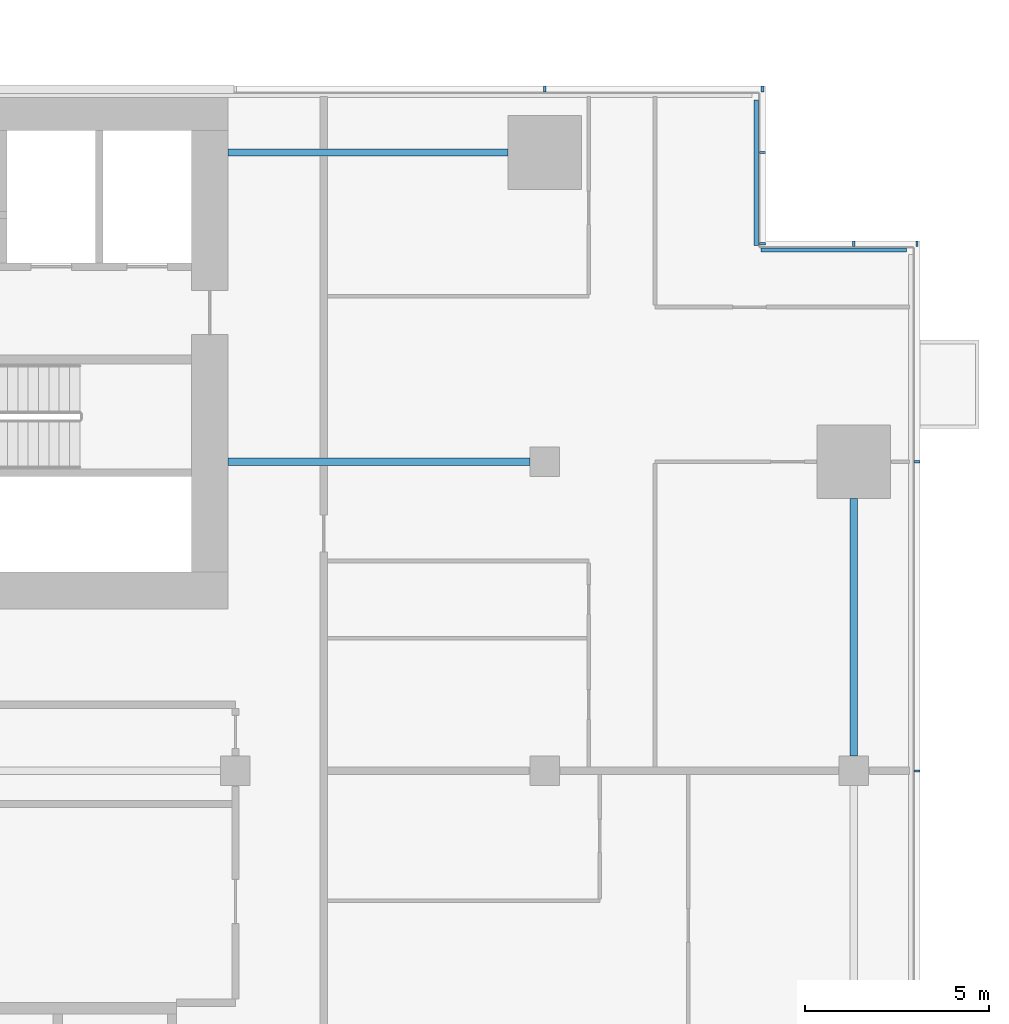
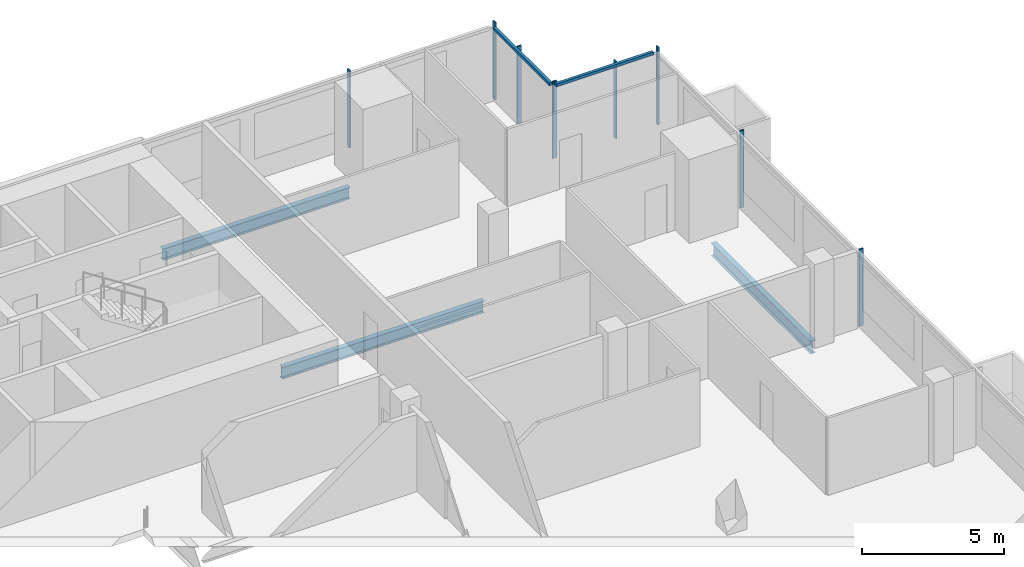
# One storey, part 13 of 27: 10 members, 3 beams, 4 elements without a shape of their own.
"""IFC4 building model written with IfcOpenShell, lengths in metres."""

from ifc_helpers import new_model, si_unit, direction, frame, origin, origin_2d, place, context, subcontext, project, spatial, rectangle, i_section, extrude, material, material_profile, profile_set, type_object, element, aggregate, save


model = new_model("IFC4")

# Units and contexts
model_context = context("Model", 3, precision=1e-05, world=origin(), true_north=direction((0.0, 1.0)))
body_context = subcontext(model_context, "Body", "Model", "MODEL_VIEW")
ifc_project = project(units=[si_unit("LENGTHUNIT", "METRE"), si_unit("AREAUNIT", "SQUARE_METRE"), si_unit("VOLUMEUNIT", "CUBIC_METRE"), si_unit("PLANEANGLEUNIT", "RADIAN"), si_unit("MASSUNIT", "GRAM", prefix="KILO")], contexts=[model_context])

# Site, building, storey
site_placement = place(None, origin())
site = spatial("IfcSite", under=ifc_project, at=site_placement, CompositionType="ELEMENT")
building_placement = place(site_placement, origin())
building = spatial("IfcBuilding", under=site, at=building_placement, Name="Saffron Gate Tower", CompositionType="ELEMENT")
storey_placement = place(building_placement, frame((0.0, 0.0, 124.050048828125)))
storey = spatial("IfcBuildingStorey", under=building, at=storey_placement, Name="L29", CompositionType="ELEMENT", Elevation=124.050048828125)

# Beams
ifc_material_1 = material(Name="Structural steel S355", Category="steel")
ifc_material_profile_1 = material_profile(ifc_material_1, i_section(OverallWidth=0.199951171875, OverallDepth=0.5, WebThickness=0.01025390625, FlangeThickness=0.01611328125, FilletRadius=0.02099609375, at=origin_2d()))
ifc_profile_set_1 = profile_set([ifc_material_profile_1], Name="Structural steel S355")
beam_type_1 = type_object("IfcBeamType", Name="B10 IPE 500", PredefinedType="BEAM", material=ifc_profile_set_1)
beam_1_placement = place(storey_placement, frame((116.60009765625, 65.39990234375, -0.530029296875), z_axis=(-1.0, 0.0, 0.0), x_axis=(0.0, -1.0, 0.0)))
element("IfcBeam", 1, at=beam_1_placement, inside=storey, type_object=beam_type_1, Name="B10 CORE TIE BEAM", PredefinedType="BEAM", context=body_context, shape_type="SweptSolid", body=[
    extrude(i_section(OverallWidth=0.199951171875, OverallDepth=0.5, WebThickness=0.01025390625, FlangeThickness=0.01611328125, FilletRadius=0.02099609375, at=origin_2d()), origin(), (0.0, 0.0, 1.0), 8.2001953125),
])
beam_2_placement = place(storey_placement, frame((116.0, 73.800048828125, -0.530029296875), z_axis=(-1.0, 0.0, 0.0), x_axis=(0.0, -1.0, 0.0)))
element("IfcBeam", 2, at=beam_2_placement, inside=storey, type_object=beam_type_1, Name="B10 CORE TIE BEAM", PredefinedType="BEAM", context=body_context, shape_type="SweptSolid", body=[
    extrude(i_section(OverallWidth=0.199951171875, OverallDepth=0.5, WebThickness=0.01025390625, FlangeThickness=0.01611328125, FilletRadius=0.02099609375, at=origin_2d()), origin(), (0.0, 0.0, 1.0), 7.60009765625),
])
ifc_material_profile_2 = material_profile(ifc_material_1, i_section(OverallWidth=0.2099609375, OverallDepth=0.550048828125, WebThickness=0.010986328125, FlangeThickness=0.01708984375, FilletRadius=0.02392578125, at=origin_2d()))
ifc_profile_set_2 = profile_set([ifc_material_profile_2], Name="Structural steel S355")
beam_type_2 = type_object("IfcBeamType", Name="B13 IPE 550", PredefinedType="SPANDREL", material=ifc_profile_set_2)
beam_3_placement = place(storey_placement, frame((125.39990234375, 57.39990234375, -0.554931640625), z_axis=(0.0, 1.0, 0.0), x_axis=(-1.0, 0.0, 0.0)))
element("IfcBeam", 3, at=beam_3_placement, inside=storey, type_object=beam_type_2, Name="B13 SPANDREL BEAM", PredefinedType="SPANDREL", context=body_context, shape_type="SweptSolid", body=[
    extrude(i_section(OverallWidth=0.2099609375, OverallDepth=0.550048828125, WebThickness=0.010986328125, FlangeThickness=0.01708984375, FilletRadius=0.02392578125, at=origin_2d()), origin(), (0.0, 0.0, 1.0), 7.0),
])

# Curtain wall, members
ifc_material_2 = material(Name="Aluminium, bronze anodised", Category="aluminium")
curtain_wall_type_1 = type_object("IfcCurtainWallType", Name="CWS2 curtain wall side facades", PredefinedType="NOTDEFINED", material=ifc_material_2)
curtain_wall_1_placement = place(storey_placement, origin())
curtain_wall_1 = element("IfcCurtainWall", 4, at=curtain_wall_1_placement, inside=storey, type_object=curtain_wall_type_1, Name="CWS2 run 4", PredefinedType="NOTDEFINED")
ifc_material_profile_3 = material_profile(ifc_material_2, rectangle(XDim=0.159912109375, YDim=0.06005859375, at=origin_2d()))
ifc_profile_set_3 = profile_set([ifc_material_profile_3], Name="Aluminium, bronze anodised")
member_type_1 = type_object("IfcMemberType", Name="CWS2 mullion 60x160", PredefinedType="MULLION", material=ifc_profile_set_3)
member_1_placement = place(storey_placement, frame((127.1201171875, 57.0, 0.0), z_axis=(0.0, 0.0, 1.0), x_axis=(-1.0, 0.0, 0.0)))
member_1 = element("IfcMember", 5, at=member_1_placement, type_object=member_type_1, Name="CWS2 mullion 4", PredefinedType="MULLION", context=body_context, shape_type="SweptSolid", body=[
    extrude(rectangle(XDim=0.159912109375, YDim=0.06005859375, at=origin_2d()), origin(), (0.0, 0.0, 1.0), 3.320068359375),
])
member_2_placement = place(storey_placement, frame((127.1201171875, 65.39990234375, 0.0), z_axis=(0.0, 0.0, 1.0), x_axis=(-1.0, 0.0, 0.0)))
member_2 = element("IfcMember", 6, at=member_2_placement, type_object=member_type_1, Name="CWS2 mullion 5", PredefinedType="MULLION", context=body_context, shape_type="SweptSolid", body=[
    extrude(rectangle(XDim=0.159912109375, YDim=0.06005859375, at=origin_2d()), origin(), (0.0, 0.0, 1.0), 3.320068359375),
])
aggregate(curtain_wall_1, [member_1, member_2])

curtain_wall_type_2 = type_object("IfcCurtainWallType", Name="CWS3 curtain wall rear facade", PredefinedType="NOTDEFINED", material=ifc_material_2)
curtain_wall_2_placement = place(storey_placement, origin())
curtain_wall_2 = element("IfcCurtainWall", 7, at=curtain_wall_2_placement, inside=storey, type_object=curtain_wall_type_2, Name="CWS3 run 7", PredefinedType="NOTDEFINED")
ifc_material_profile_4 = material_profile(ifc_material_2, rectangle(XDim=0.159912109375, YDim=0.070068359375, at=origin_2d()))
ifc_profile_set_4 = profile_set([ifc_material_profile_4], Name="Aluminium, bronze anodised")
member_type_2 = type_object("IfcMemberType", Name="CWS3 mullion 70x160", PredefinedType="MULLION", material=ifc_profile_set_4)
member_3_placement = place(storey_placement, frame((122.919921875, 75.52001953125, 0.0), z_axis=(0.0, 0.0, 1.0), x_axis=(0.0, -1.0, 0.0)))
member_3 = element("IfcMember", 8, at=member_3_placement, type_object=member_type_2, Name="CWS3 mullion 1", PredefinedType="MULLION", context=body_context, shape_type="SweptSolid", body=[
    extrude(rectangle(XDim=0.159912109375, YDim=0.070068359375, at=origin_2d()), origin(), (0.0, 0.0, 1.0), 3.320068359375),
])
member_4_placement = place(storey_placement, frame((117.0, 75.52001953125, 0.0), z_axis=(0.0, 0.0, 1.0), x_axis=(0.0, -1.0, 0.0)))
member_4 = element("IfcMember", 9, at=member_4_placement, type_object=member_type_2, Name="CWS3 mullion 2", PredefinedType="MULLION", context=body_context, shape_type="SweptSolid", body=[
    extrude(rectangle(XDim=0.159912109375, YDim=0.070068359375, at=origin_2d()), origin(), (0.0, 0.0, 1.0), 3.320068359375),
])
aggregate(curtain_wall_2, [member_3, member_4])

# Curtain wall, member
curtain_wall_type_3 = type_object("IfcCurtainWallType", Name="CWS4 curtain wall corner returns", PredefinedType="NOTDEFINED", material=ifc_material_2)
curtain_wall_3_placement = place(storey_placement, origin())
curtain_wall_3 = element("IfcCurtainWall", 10, at=curtain_wall_3_placement, inside=storey, type_object=curtain_wall_type_3, Name="CWS4 run 5", PredefinedType="NOTDEFINED")
ifc_material_profile_5 = material_profile(ifc_material_2, rectangle(XDim=0.1201171875, YDim=0.1201171875, at=origin_2d()))
ifc_profile_set_5 = profile_set([ifc_material_profile_5], Name="Aluminium, bronze anodised")
member_type_3 = type_object("IfcMemberType", Name="CWS4 head transom", PredefinedType="USERDEFINED", material=ifc_profile_set_5)
member_5_placement = place(storey_placement, frame((126.83203125, 71.152099609375, 3.260009765625), z_axis=(-1.0, 0.0, 0.0), x_axis=(0.0, -1.0, 0.0)))
member_5 = element("IfcMember", 11, at=member_5_placement, type_object=member_type_3, Name="CWS4 head transom", ObjectType="TRANSOM", PredefinedType="USERDEFINED", context=body_context, shape_type="SweptSolid", body=[
    extrude(rectangle(XDim=0.1201171875, YDim=0.1201171875, at=origin_2d()), origin(), (0.0, 0.0, 1.0), 3.9599609375),
])

curtain_wall_4_placement = place(storey_placement, origin())
curtain_wall_4 = element("IfcCurtainWall", 12, at=curtain_wall_4_placement, inside=storey, type_object=curtain_wall_type_3, Name="CWS4 run 6", PredefinedType="NOTDEFINED")
member_6_placement = place(storey_placement, frame((122.751953125, 71.27197265625, 3.260009765625), z_axis=(0.0, 1.0, 0.0), x_axis=(-1.0, 0.0, 0.0)))
member_6 = element("IfcMember", 13, at=member_6_placement, type_object=member_type_3, Name="CWS4 head transom", ObjectType="TRANSOM", PredefinedType="USERDEFINED", context=body_context, shape_type="SweptSolid", body=[
    extrude(rectangle(XDim=0.1201171875, YDim=0.1201171875, at=origin_2d()), origin(), (0.0, 0.0, 1.0), 3.9599609375),
])

# Member
ifc_material_profile_6 = material_profile(ifc_material_2, rectangle(XDim=0.159912109375, YDim=0.06005859375, at=origin_2d()))
ifc_profile_set_6 = profile_set([ifc_material_profile_6], Name="Aluminium, bronze anodised")
member_type_4 = type_object("IfcMemberType", Name="CWS4 mullion 60x160", PredefinedType="MULLION", material=ifc_profile_set_6)
member_7_placement = place(storey_placement, frame((127.1201171875, 71.320068359375, 0.0), z_axis=(0.0, 0.0, 1.0), x_axis=(0.0, -1.0, 0.0)))
member_7 = element("IfcMember", 14, at=member_7_placement, type_object=member_type_4, Name="CWS4 mullion 1", PredefinedType="MULLION", context=body_context, shape_type="SweptSolid", body=[
    extrude(rectangle(XDim=0.159912109375, YDim=0.06005859375, at=origin_2d()), origin(), (0.0, 0.0, 1.0), 3.320068359375),
])

member_8_placement = place(storey_placement, frame((125.39990234375, 71.320068359375, 0.0), z_axis=(0.0, 0.0, 1.0), x_axis=(0.0, -1.0, 0.0)))
member_8 = element("IfcMember", 15, at=member_8_placement, type_object=member_type_4, Name="CWS4 mullion 2", PredefinedType="MULLION", context=body_context, shape_type="SweptSolid", body=[
    extrude(rectangle(XDim=0.159912109375, YDim=0.06005859375, at=origin_2d()), origin(), (0.0, 0.0, 1.0), 3.320068359375),
])

aggregate(curtain_wall_3, [member_7, member_8, member_5])

member_9_placement = place(storey_placement, frame((122.919921875, 71.320068359375, 0.0), z_axis=(0.0, 0.0, 1.0), x_axis=(-1.0, 0.0, 0.0)))
member_9 = element("IfcMember", 16, at=member_9_placement, type_object=member_type_4, Name="CWS4 mullion 1", PredefinedType="MULLION", context=body_context, shape_type="SweptSolid", body=[
    extrude(rectangle(XDim=0.159912109375, YDim=0.06005859375, at=origin_2d()), origin(), (0.0, 0.0, 1.0), 3.320068359375),
])

member_10_placement = place(storey_placement, frame((122.919921875, 73.800048828125, 0.0), z_axis=(0.0, 0.0, 1.0), x_axis=(-1.0, 0.0, 0.0)))
member_10 = element("IfcMember", 17, at=member_10_placement, type_object=member_type_4, Name="CWS4 mullion 2", PredefinedType="MULLION", context=body_context, shape_type="SweptSolid", body=[
    extrude(rectangle(XDim=0.159912109375, YDim=0.06005859375, at=origin_2d()), origin(), (0.0, 0.0, 1.0), 3.320068359375),
])

aggregate(curtain_wall_4, [member_9, member_10, member_6])

save(model, "model.ifc")
